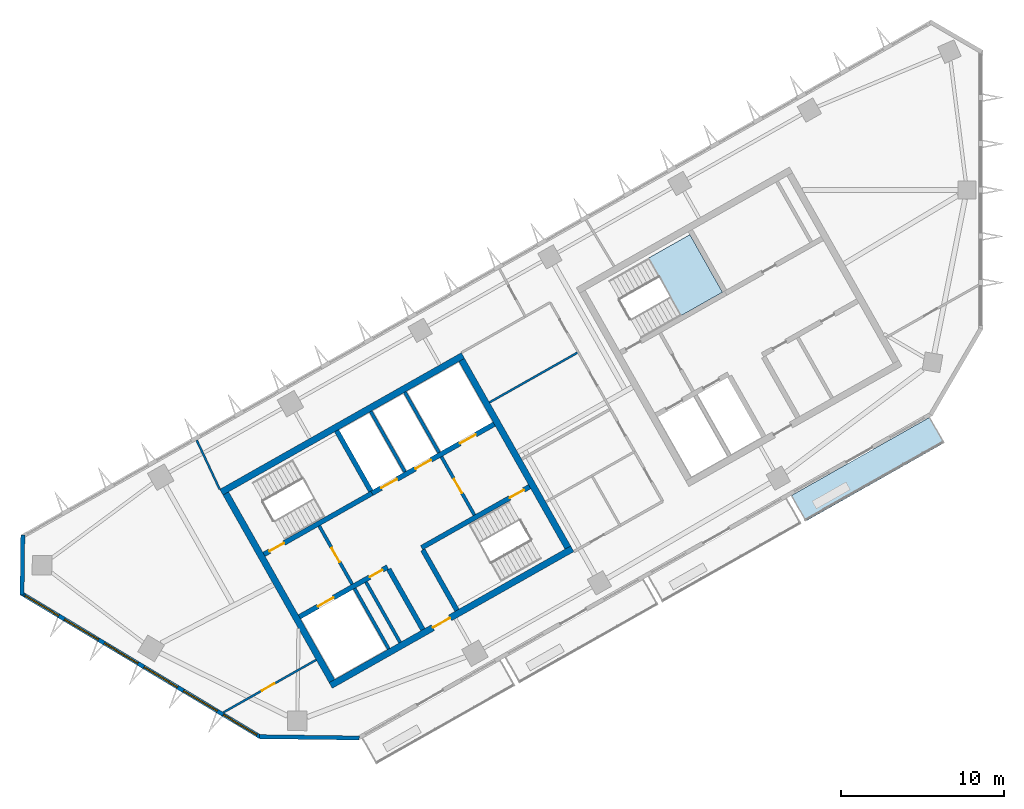
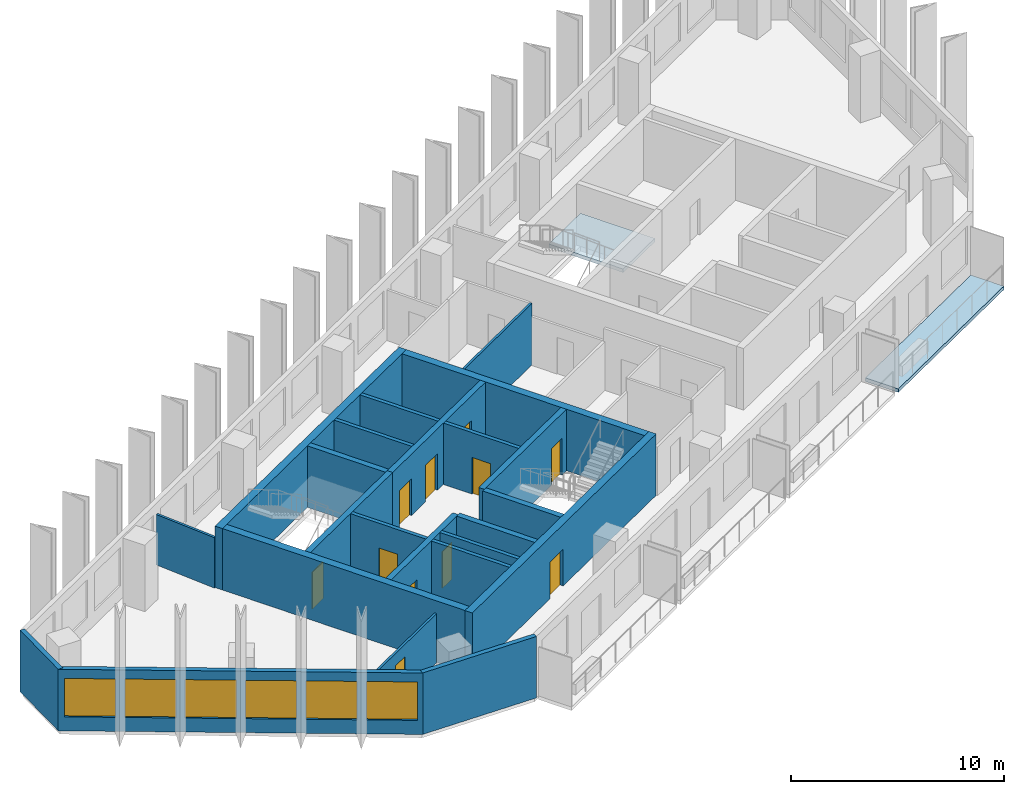
# One storey, part 2 of 8: 23 walls, 11 doors, 6 windows, 2 slabs, 17 openings, 1 element without a shape of its own.
"""IFC4 building model written with IfcOpenShell, lengths in metres."""

from ifc_helpers import new_model, si_unit, direction, frame, frame_2d, origin, place, context, subcontext, project, spatial, polyline, rectangle, outline, extrude, material, layer, layer_set, type_object, element, fill, aggregate, save


model = new_model("IFC4")

# Units and contexts
model_context = context("Model", 3, precision=1e-05, world=origin(), true_north=direction((0.0, 1.0)))
body_context = subcontext(model_context, "Body", "Model", "MODEL_VIEW")
ifc_project = project(units=[si_unit("LENGTHUNIT", "METRE"), si_unit("AREAUNIT", "SQUARE_METRE"), si_unit("VOLUMEUNIT", "CUBIC_METRE"), si_unit("PLANEANGLEUNIT", "RADIAN"), si_unit("MASSUNIT", "GRAM", prefix="KILO")], contexts=[model_context])

# Site, building, storey
site_placement = place(None, origin())
site = spatial("IfcSite", under=ifc_project, at=site_placement, CompositionType="ELEMENT")
building_placement = place(site_placement, origin())
building = spatial("IfcBuilding", under=site, at=building_placement, Name="Binnacle Exchange Tower", CompositionType="ELEMENT")
storey_placement = place(building_placement, frame((0.0, 0.0, 270.300048828125)))
storey = spatial("IfcBuildingStorey", under=building, at=storey_placement, Name="L60", CompositionType="ELEMENT", Elevation=270.300048828125)

# Slab
ifc_material_1 = material(Name="Concrete C35/45", Category="concrete")
ifc_layer_1 = layer(ifc_material_1, 0.199951171875)
ifc_layer_set_1 = layer_set([ifc_layer_1], Name="BALCONY SLAB 200")
slab_type_1 = type_object("IfcSlabType", Name="BALCONY SLAB 200", PredefinedType="FLOOR", material=ifc_layer_set_1)
slab_1_placement = place(storey_placement, frame((0.0, 0.0, -0.199951171875)))
element("IfcSlab", 1, at=slab_1_placement, inside=storey, type_object=slab_type_1, Name="Balcony BA-H07-03 L60", PredefinedType="FLOOR", context=body_context, shape_type="SweptSolid", body=[
    extrude(outline(polyline([(-11.616943359375, 41.28369140625), (-3.115234375, 46.093994140625), (-2.22900390625, 44.527099609375), (-10.730712890625, 39.717041015625), (-11.616943359375, 41.28369140625)])), origin(), (0.0, 0.0, 1.0), 0.199951171875),
])

# Stair, slab
stair_type = type_object("IfcStairType", Name="STAIR 22 RISERS 173", PredefinedType="HALF_TURN_STAIR", material=ifc_material_1)
stair_placement = place(storey_placement, origin())
stair = element("IfcStair", 2, at=stair_placement, inside=storey, type_object=stair_type, Name="L60 Escape stair C1", PredefinedType="HALF_TURN_STAIR")
ifc_layer_2 = layer(ifc_material_1, 0.199951171875)
ifc_layer_set_2 = layer_set([ifc_layer_2], Name="STAIR LANDING 200")
slab_type_2 = type_object("IfcSlabType", Name="STAIR LANDING 200", PredefinedType="LANDING", material=ifc_layer_set_2)
slab_2_placement = place(storey_placement, frame((0.0, 0.0, 1.699951171875)))
slab_2 = element("IfcSlab", 3, at=slab_2_placement, type_object=slab_type_2, Name="STC1 landing 1", PredefinedType="LANDING", context=body_context, shape_type="SweptSolid", body=[
    extrude(outline(polyline([(-18.364013671875, 52.31005859375), (-15.822509765625, 53.748046875), (-17.81689453125, 57.27294921875), (-20.3583984375, 55.8349609375), (-18.364013671875, 52.31005859375)])), origin(), (0.0, 0.0, 1.0), 0.199951171875),
])
aggregate(stair, [slab_2])

# Wall, openings, doors
ifc_material_2 = material(Name="Concrete C70/85", Category="concrete")
ifc_layer_3 = layer(ifc_material_2, 0.300048828125)
ifc_layer_set_3 = layer_set([ifc_layer_3], Name="Core wall - front 300")
wall_type_1 = type_object("IfcWallType", Name="Core wall - front 300", PredefinedType="SOLIDWALL", material=ifc_layer_set_3)
wall_1_placement = place(storey_placement, frame((-41.72998046875, 33.862548828125, 0.0), z_axis=(0.0, 0.0, 1.0), x_axis=(0.870350800578, 0.492432212525, 0.0)))
wall_1 = element("IfcWall", 4, at=wall_1_placement, inside=storey, type_object=wall_type_1, Name="Core wall CRWA2", PredefinedType="SOLIDWALL", context=body_context, shape_type="SweptSolid", body=[
    extrude(rectangle(XDim=6.19970703125, YDim=0.300048828125, at=frame_2d((3.099853515625, 0.0))), origin(), (0.0, 0.0, 1.0), 3.52001953125),
])
opening_1_placement = place(wall_1_placement, frame((1.300048828125, 0.0, 0.0)))
opening_1 = element("IfcOpeningElement", 5, at=opening_1_placement, cuts=wall_1, Name="Opening LD12", PredefinedType="OPENING", context=body_context, shape_type="SweptSolid", body=[
    extrude(rectangle(XDim=1.10009765625, YDim=2.10009765625, at=frame_2d((0.550048828125, 1.050048828125))), frame((0.0, 0.159912109375, 0.0), z_axis=(0.0, -1.0, 0.0), x_axis=(1.0, 0.0, 0.0)), (0.0, 0.0, 1.0), 0.320068359375),
])
opening_2_placement = place(wall_1_placement, frame((4.949951171875, 0.0, 0.0)))
opening_2 = element("IfcOpeningElement", 6, at=opening_2_placement, cuts=wall_1, Name="Opening DA14", PredefinedType="OPENING", context=body_context, shape_type="SweptSolid", body=[
    extrude(rectangle(XDim=0.89990234375, YDim=2.10009765625, at=frame_2d((0.449951171875, 1.050048828125))), frame((0.0, 0.159912109375, 0.0), z_axis=(0.0, -1.0, 0.0), x_axis=(1.0, 0.0, 0.0)), (0.0, 0.0, 1.0), 0.320068359375),
])
ifc_material_3 = material(Name="Steel door leaf", Category="steel")
door_type_1 = type_object("IfcDoorType", Name="Fire door - lift landing 1100", OperationType="NOTDEFINED", PredefinedType="DOOR", material=ifc_material_3)
door_1_placement = place(opening_1_placement, origin())
door_1 = element("IfcDoor", 7, at=door_1_placement, inside=storey, type_object=door_type_1, Name="Landing door LD12 L60", OperationType="DOUBLE_DOOR_SLIDING", OverallHeight=2.10009765625, OverallWidth=1.10009765625, PredefinedType="DOOR", context=body_context, shape_type="SweptSolid", body=[
    extrude(rectangle(XDim=1.10009765625, YDim=2.10009765625, at=frame_2d((0.550048828125, 1.050048828125))), frame((0.0, 0.02490234375, 0.0), z_axis=(0.0, -1.0, 0.0), x_axis=(1.0, 0.0, 0.0)), (0.0, 0.0, 1.0), 0.050048828125),
])
fill(opening_1, door_1)
door_type_2 = type_object("IfcDoorType", Name="Fire door 900", OperationType="NOTDEFINED", PredefinedType="DOOR", material=ifc_material_3)
door_2_placement = place(opening_2_placement, frame((0.89990234375, 0.0, 0.0), z_axis=(0.0, 0.0, 1.0), x_axis=(-1.0, 0.0, 0.0)))
door_2 = element("IfcDoor", 8, at=door_2_placement, inside=storey, type_object=door_type_2, Name="Core room door CLEANERS STORE", OperationType="SINGLE_SWING_LEFT", OverallHeight=2.10009765625, OverallWidth=0.89990234375, PredefinedType="DOOR", context=body_context, shape_type="SweptSolid", body=[
    extrude(rectangle(XDim=0.89990234375, YDim=2.10009765625, at=frame_2d((0.449951171875, 1.050048828125))), frame((0.0, 0.02490234375, 0.0), z_axis=(0.0, -1.0, 0.0), x_axis=(1.0, 0.0, 0.0)), (0.0, 0.0, 1.0), 0.050048828125),
])
fill(opening_2, door_2)

wall_2_placement = place(storey_placement, frame((-37.281982421875, 41.4345703125, 0.0), z_axis=(0.0, 0.0, 1.0), x_axis=(0.870361315115, 0.492413628113, 0.0)))
wall_2 = element("IfcWall", 9, at=wall_2_placement, inside=storey, type_object=wall_type_1, Name="Core wall CRWA5", PredefinedType="SOLIDWALL", context=body_context, shape_type="SweptSolid", body=[
    extrude(rectangle(XDim=8.599609375, YDim=0.300048828125, at=frame_2d((4.2998046875, 0.0))), origin(), (0.0, 0.0, 1.0), 3.52001953125),
])
opening_3_placement = place(wall_2_placement, frame((0.650146484375, 0.0, 0.0)))
opening_3 = element("IfcOpeningElement", 10, at=opening_3_placement, cuts=wall_2, Name="Opening LD9", PredefinedType="OPENING", context=body_context, shape_type="SweptSolid", body=[
    extrude(rectangle(XDim=1.10009765625, YDim=2.10009765625, at=frame_2d((0.550048828125, 1.050048828125))), frame((0.0, 0.159912109375, 0.0), z_axis=(0.0, -1.0, 0.0), x_axis=(1.0, 0.0, 0.0)), (0.0, 0.0, 1.0), 0.320068359375),
])
opening_4_placement = place(wall_2_placement, frame((3.050048828125, 0.0, 0.0)))
opening_4 = element("IfcOpeningElement", 11, at=opening_4_placement, cuts=wall_2, Name="Opening LD10", PredefinedType="OPENING", context=body_context, shape_type="SweptSolid", body=[
    extrude(rectangle(XDim=1.10009765625, YDim=2.10009765625, at=frame_2d((0.550048828125, 1.050048828125))), frame((0.0, 0.159912109375, 0.0), z_axis=(0.0, -1.0, 0.0), x_axis=(1.0, 0.0, 0.0)), (0.0, 0.0, 1.0), 0.320068359375),
])
opening_5_placement = place(wall_2_placement, frame((6.199951171875, 0.0, 0.0)))
opening_5 = element("IfcOpeningElement", 12, at=opening_5_placement, cuts=wall_2, Name="Opening LD13", PredefinedType="OPENING", context=body_context, shape_type="SweptSolid", body=[
    extrude(rectangle(XDim=1.10009765625, YDim=2.10009765625, at=frame_2d((0.550048828125, 1.050048828125))), frame((0.0, 0.159912109375, 0.0), z_axis=(0.0, -1.0, 0.0), x_axis=(1.0, 0.0, 0.0)), (0.0, 0.0, 1.0), 0.320068359375),
])
door_3_placement = place(opening_3_placement, origin())
door_3 = element("IfcDoor", 13, at=door_3_placement, inside=storey, type_object=door_type_1, Name="Landing door LD9 L60", OperationType="DOUBLE_DOOR_SLIDING", OverallHeight=2.10009765625, OverallWidth=1.10009765625, PredefinedType="DOOR", context=body_context, shape_type="SweptSolid", body=[
    extrude(rectangle(XDim=1.10009765625, YDim=2.10009765625, at=frame_2d((0.550048828125, 1.050048828125))), frame((0.0, 0.02490234375, 0.0), z_axis=(0.0, -1.0, 0.0), x_axis=(1.0, 0.0, 0.0)), (0.0, 0.0, 1.0), 0.050048828125),
])
fill(opening_3, door_3)
door_4_placement = place(opening_4_placement, origin())
door_4 = element("IfcDoor", 14, at=door_4_placement, inside=storey, type_object=door_type_1, Name="Landing door LD10 L60", OperationType="DOUBLE_DOOR_SLIDING", OverallHeight=2.10009765625, OverallWidth=1.10009765625, PredefinedType="DOOR", context=body_context, shape_type="SweptSolid", body=[
    extrude(rectangle(XDim=1.10009765625, YDim=2.10009765625, at=frame_2d((0.550048828125, 1.050048828125))), frame((0.0, 0.02490234375, 0.0), z_axis=(0.0, -1.0, 0.0), x_axis=(1.0, 0.0, 0.0)), (0.0, 0.0, 1.0), 0.050048828125),
])
fill(opening_4, door_4)
door_5_placement = place(opening_5_placement, origin())
door_5 = element("IfcDoor", 15, at=door_5_placement, inside=storey, type_object=door_type_1, Name="Landing door LD13 L60", OperationType="DOUBLE_DOOR_SLIDING", OverallHeight=2.10009765625, OverallWidth=1.10009765625, PredefinedType="DOOR", context=body_context, shape_type="SweptSolid", body=[
    extrude(rectangle(XDim=1.10009765625, YDim=2.10009765625, at=frame_2d((0.550048828125, 1.050048828125))), frame((0.0, 0.02490234375, 0.0), z_axis=(0.0, -1.0, 0.0), x_axis=(1.0, 0.0, 0.0)), (0.0, 0.0, 1.0), 0.050048828125),
])
fill(opening_5, door_5)

# Wall
wall_3_placement = place(storey_placement, frame((-36.260009765625, 36.784912109375, 0.0), z_axis=(0.0, 0.0, 1.0), x_axis=(0.492422543467, -0.870356271124, 0.0)))
element("IfcWall", 16, at=wall_3_placement, inside=storey, type_object=wall_type_1, Name="Core wall CRWA13", PredefinedType="SOLIDWALL", context=body_context, shape_type="SweptSolid", body=[
    extrude(rectangle(XDim=4.25, YDim=0.300048828125, at=frame_2d((2.125, 0.0))), origin(), (0.0, 0.0, 1.0), 3.52001953125),
])

# Wall, opening, door
ifc_layer_4 = layer(ifc_material_2, 0.39990234375)
ifc_layer_set_4 = layer_set([ifc_layer_4], Name="Core wall - outer 400")
wall_type_2 = type_object("IfcWallType", Name="Core wall - outer 400", PredefinedType="SOLIDWALL", material=ifc_layer_set_4)
wall_4_placement = place(storey_placement, frame((-39.81298828125, 29.661865234375, 0.0), z_axis=(0.0, 0.0, 1.0), x_axis=(0.870350116061, 0.492433422375, 0.0)))
wall_4 = element("IfcWall", 17, at=wall_4_placement, inside=storey, type_object=wall_type_2, Name="Core wall CRWA1", PredefinedType="SOLIDWALL", context=body_context, shape_type="SweptSolid", body=[
    extrude(rectangle(XDim=17.0, YDim=0.39990234375, at=frame_2d((8.5, 0.0))), origin(), (0.0, 0.0, 1.0), 3.52001953125),
])
opening_6_placement = place(wall_4_placement, frame((7.199951171875, 0.0, 0.0)))
opening_6 = element("IfcOpeningElement", 18, at=opening_6_placement, cuts=wall_4, Name="Opening DA7", PredefinedType="OPENING", context=body_context, shape_type="SweptSolid", body=[
    extrude(rectangle(XDim=1.199951171875, YDim=2.10009765625, at=frame_2d((0.60009765625, 1.050048828125))), frame((0.0, 0.2099609375, 0.0), z_axis=(0.0, -1.0, 0.0), x_axis=(1.0, 0.0, 0.0)), (0.0, 0.0, 1.0), 0.419921875),
])
door_type_3 = type_object("IfcDoorType", Name="Fire door 1200", OperationType="NOTDEFINED", PredefinedType="DOOR", material=ifc_material_3)
door_6_placement = place(opening_6_placement, frame((1.199951171875, 0.0, 0.0), z_axis=(0.0, 0.0, 1.0), x_axis=(-1.0, 0.0, 0.0)))
door_6 = element("IfcDoor", 19, at=door_6_placement, inside=storey, type_object=door_type_3, Name="Lift lobby entrance door core A", OperationType="SINGLE_SWING_RIGHT", OverallHeight=2.10009765625, OverallWidth=1.199951171875, PredefinedType="DOOR", context=body_context, shape_type="SweptSolid", body=[
    extrude(rectangle(XDim=1.199951171875, YDim=2.10009765625, at=frame_2d((0.60009765625, 1.050048828125))), frame((0.0, 0.02490234375, 0.0), z_axis=(0.0, -1.0, 0.0), x_axis=(1.0, 0.0, 0.0)), (0.0, 0.0, 1.0), 0.050048828125),
])
fill(opening_6, door_6)

# Walls
wall_5_placement = place(storey_placement, frame((-46.510009765625, 41.498779296875, 0.0), z_axis=(0.0, 0.0, 1.0), x_axis=(0.870356271124, 0.492422543467, 0.0)))
element("IfcWall", 20, at=wall_5_placement, inside=storey, type_object=wall_type_2, Name="Core wall CRWA6", PredefinedType="SOLIDWALL", context=body_context, shape_type="SweptSolid", body=[
    extrude(rectangle(XDim=16.999755859375, YDim=0.39990234375, at=frame_2d((8.5, 0.0))), origin(), (0.0, 0.0, 1.0), 3.52001953125),
])
for number, where, z_axis, x_axis, name in (
    (21, (-46.237548828125, 41.423095703125, 0.0), (0.0, 0.0, 1.0), (0.492421663121, -0.870356769198, 0.0), "Core wall CRWA7"),
    (22, (-31.78955078125, 49.597412109375, 0.0), (0.0, 0.0, 1.0), (0.492421663121, -0.870356769198, 0.0), "Core wall CRWA22"),
):
    element("IfcWall", number, at=place(storey_placement, frame(where, z_axis=z_axis, x_axis=x_axis)), inside=storey, type_object=wall_type_2, Name=name, PredefinedType="SOLIDWALL", context=body_context, shape_type="SweptSolid", body=[
        extrude(rectangle(XDim=13.199951171875, YDim=0.39990234375, at=frame_2d((6.60009765625, 0.0))), origin(), (0.0, 0.0, 1.0), 3.52001953125),
    ])

# Wall, opening, door
ifc_layer_5 = layer(ifc_material_2, 0.300048828125)
ifc_layer_set_5 = layer_set([ifc_layer_5], Name="Core wall - stair 300")
wall_type_3 = type_object("IfcWallType", Name="Core wall - stair 300", PredefinedType="SOLIDWALL", material=ifc_layer_set_5)
wall_6_placement = place(storey_placement, frame((-34.2451171875, 38.097412109375, 0.0), z_axis=(0.0, 0.0, 1.0), x_axis=(0.870356351998, 0.492422400523, 0.0)))
wall_6 = element("IfcWall", 23, at=wall_6_placement, inside=storey, type_object=wall_type_3, Name="Core wall CRWA3", PredefinedType="SOLIDWALL", context=body_context, shape_type="SweptSolid", body=[
    extrude(rectangle(XDim=7.60009765625, YDim=0.300048828125, at=frame_2d((3.800048828125, 0.0))), origin(), (0.0, 0.0, 1.0), 3.52001953125),
])
opening_7_placement = place(wall_6_placement, frame((6.199951171875, 0.0, 0.0)))
opening_7 = element("IfcOpeningElement", 24, at=opening_7_placement, cuts=wall_6, Name="Opening DA2", PredefinedType="OPENING", context=body_context, shape_type="SweptSolid", body=[
    extrude(rectangle(XDim=1.0, YDim=2.10009765625, at=frame_2d((0.5, 1.050048828125))), frame((0.0, 0.159912109375, 0.0), z_axis=(0.0, -1.0, 0.0), x_axis=(1.0, 0.0, 0.0)), (0.0, 0.0, 1.0), 0.320068359375),
])
door_type_4 = type_object("IfcDoorType", Name="Fire door 1000", OperationType="NOTDEFINED", PredefinedType="DOOR", material=ifc_material_3)
door_7_placement = place(opening_7_placement, frame((1.0, 0.0, 0.0), z_axis=(0.0, 0.0, 1.0), x_axis=(-1.0, 0.0, 0.0)))
door_7 = element("IfcDoor", 25, at=door_7_placement, inside=storey, type_object=door_type_4, Name="Stair door ST-A2", OperationType="SINGLE_SWING_LEFT", OverallHeight=2.10009765625, OverallWidth=1.0, PredefinedType="DOOR", context=body_context, shape_type="SweptSolid", body=[
    extrude(rectangle(XDim=1.0, YDim=2.10009765625, at=frame_2d((0.5, 1.050048828125))), frame((0.0, 0.02490234375, 0.0), z_axis=(0.0, -1.0, 0.0), x_axis=(1.0, 0.0, 0.0)), (0.0, 0.0, 1.0), 0.050048828125),
])
fill(opening_7, door_7)

wall_7_placement = place(storey_placement, frame((-43.896728515625, 37.692138671875, 0.0), z_axis=(0.0, 0.0, 1.0), x_axis=(0.870356351998, 0.492422400523, 0.0)))
wall_7 = element("IfcWall", 26, at=wall_7_placement, inside=storey, type_object=wall_type_3, Name="Core wall CRWA4", PredefinedType="SOLIDWALL", context=body_context, shape_type="SweptSolid", body=[
    extrude(rectangle(XDim=7.60009765625, YDim=0.300048828125, at=frame_2d((3.800048828125, 0.0))), origin(), (0.0, 0.0, 1.0), 3.52001953125),
])
opening_8_placement = place(wall_7_placement, frame((0.39990234375, 0.0, 0.0)))
opening_8 = element("IfcOpeningElement", 27, at=opening_8_placement, cuts=wall_7, Name="Opening DA1", PredefinedType="OPENING", context=body_context, shape_type="SweptSolid", body=[
    extrude(rectangle(XDim=1.0, YDim=2.10009765625, at=frame_2d((0.5, 1.050048828125))), frame((0.0, 0.159912109375, 0.0), z_axis=(0.0, -1.0, 0.0), x_axis=(1.0, 0.0, 0.0)), (0.0, 0.0, 1.0), 0.320068359375),
])
door_8_placement = place(opening_8_placement, origin())
door_8 = element("IfcDoor", 28, at=door_8_placement, inside=storey, type_object=door_type_4, Name="Stair door ST-A1", OperationType="SINGLE_SWING_LEFT", OverallHeight=2.10009765625, OverallWidth=1.0, PredefinedType="DOOR", context=body_context, shape_type="SweptSolid", body=[
    extrude(rectangle(XDim=1.0, YDim=2.10009765625, at=frame_2d((0.5, 1.050048828125))), frame((0.0, 0.02490234375, 0.0), z_axis=(0.0, -1.0, 0.0), x_axis=(1.0, 0.0, 0.0)), (0.0, 0.0, 1.0), 0.050048828125),
])
fill(opening_8, door_8)

# Walls
for number, where, z_axis, x_axis, name in (
    (29, (-39.44873046875, 45.263916015625, 0.0), (0.0, 0.0, 1.0), (0.492422543467, -0.870356271124, 0.0), "Core wall CRWA14"),
    (30, (-34.171142578125, 37.966796875, 0.0), (0.0, 0.0, 1.0), (0.492422543467, -0.870356271124, 0.0), "Core wall CRWA16"),
):
    element("IfcWall", number, at=place(storey_placement, frame(where, z_axis=z_axis, x_axis=x_axis)), inside=storey, type_object=wall_type_3, Name=name, PredefinedType="SOLIDWALL", context=body_context, shape_type="SweptSolid", body=[
        extrude(rectangle(XDim=4.25, YDim=0.300048828125, at=frame_2d((2.125, 0.0))), origin(), (0.0, 0.0, 1.0), 3.52001953125),
    ])
ifc_material_4 = material(Name="Bronze aluminium cladding", Category="aluminium")
ifc_layer_6 = layer(ifc_material_4, 0.25)
ifc_layer_set_6 = layer_set([ifc_layer_6], Name="External wall - window wall 250")
wall_type_4 = type_object("IfcWallType", Name="External wall - window wall 250", PredefinedType="STANDARD", material=ifc_layer_set_6)
wall_8_placement = place(storey_placement, frame((-58.717041015625, 35.208251953125, 0.0), z_axis=(0.0, 0.0, 1.0), x_axis=(0.01310512158, 0.999914124207, 0.0)))
element("IfcWall", 31, at=wall_8_placement, inside=storey, type_object=wall_type_4, Name="External wall EW-H04 L60", PredefinedType="STANDARD", context=body_context, shape_type="SweptSolid", body=[
    extrude(rectangle(XDim=3.669921875, YDim=0.25, at=frame_2d((1.8349609375, 0.0))), origin(), (0.0, 0.0, 1.0), 3.52001953125),
])

# Wall, openings, windows
wall_9_placement = place(storey_placement, frame((-44.115234375, 26.507080078125, 0.0), z_axis=(0.0, 0.0, 1.0), x_axis=(-0.857166583633, 0.515039268311, 0.0)))
wall_9 = element("IfcWall", 32, at=wall_9_placement, inside=storey, type_object=wall_type_4, Name="External wall EW-H05 L60", PredefinedType="STANDARD", context=body_context, shape_type="SweptSolid", body=[
    extrude(rectangle(XDim=17.105712890625, YDim=0.25, at=frame_2d((8.552734375, 0.0))), origin(), (0.0, 0.0, 1.0), 3.52001953125),
])
opening_9_placement = place(wall_9_placement, frame((14.4169921875, 0.0, 0.800048828125)))
opening_9 = element("IfcOpeningElement", 33, at=opening_9_placement, cuts=wall_9, Name="Opening WR2", PredefinedType="OPENING", context=body_context, shape_type="SweptSolid", body=[
    extrude(rectangle(XDim=2.39990234375, YDim=2.199951171875, at=frame_2d((1.199951171875, 1.10009765625))), frame((0.0, 0.135009765625, 0.0), z_axis=(0.0, -1.0, 0.0), x_axis=(1.0, 0.0, 0.0)), (0.0, 0.0, 1.0), 0.27001953125),
])
opening_10_placement = place(wall_9_placement, frame((11.583740234375, 0.0, 0.800048828125)))
opening_10 = element("IfcOpeningElement", 34, at=opening_10_placement, cuts=wall_9, Name="Opening WR2", PredefinedType="OPENING", context=body_context, shape_type="SweptSolid", body=[
    extrude(rectangle(XDim=2.39990234375, YDim=2.199951171875, at=frame_2d((1.199951171875, 1.10009765625))), frame((0.0, 0.135009765625, 0.0), z_axis=(0.0, -1.0, 0.0), x_axis=(1.0, 0.0, 0.0)), (0.0, 0.0, 1.0), 0.27001953125),
])
opening_11_placement = place(wall_9_placement, frame((8.75048828125, 0.0, 0.800048828125)))
opening_11 = element("IfcOpeningElement", 35, at=opening_11_placement, cuts=wall_9, Name="Opening WR2", PredefinedType="OPENING", context=body_context, shape_type="SweptSolid", body=[
    extrude(rectangle(XDim=2.39990234375, YDim=2.199951171875, at=frame_2d((1.199951171875, 1.10009765625))), frame((0.0, 0.135009765625, 0.0), z_axis=(0.0, -1.0, 0.0), x_axis=(1.0, 0.0, 0.0)), (0.0, 0.0, 1.0), 0.27001953125),
])
opening_12_placement = place(wall_9_placement, frame((5.9169921875, 0.0, 0.800048828125)))
opening_12 = element("IfcOpeningElement", 36, at=opening_12_placement, cuts=wall_9, Name="Opening WR2", PredefinedType="OPENING", context=body_context, shape_type="SweptSolid", body=[
    extrude(rectangle(XDim=2.39990234375, YDim=2.199951171875, at=frame_2d((1.199951171875, 1.10009765625))), frame((0.0, 0.135009765625, 0.0), z_axis=(0.0, -1.0, 0.0), x_axis=(1.0, 0.0, 0.0)), (0.0, 0.0, 1.0), 0.27001953125),
])
opening_13_placement = place(wall_9_placement, frame((3.083740234375, 0.0, 0.800048828125)))
opening_13 = element("IfcOpeningElement", 37, at=opening_13_placement, cuts=wall_9, Name="Opening WR2", PredefinedType="OPENING", context=body_context, shape_type="SweptSolid", body=[
    extrude(rectangle(XDim=2.39990234375, YDim=2.199951171875, at=frame_2d((1.199951171875, 1.10009765625))), frame((0.0, 0.135009765625, 0.0), z_axis=(0.0, -1.0, 0.0), x_axis=(1.0, 0.0, 0.0)), (0.0, 0.0, 1.0), 0.27001953125),
])
opening_14_placement = place(wall_9_placement, frame((0.25048828125, 0.0, 0.800048828125)))
opening_14 = element("IfcOpeningElement", 38, at=opening_14_placement, cuts=wall_9, Name="Opening WR2", PredefinedType="OPENING", context=body_context, shape_type="SweptSolid", body=[
    extrude(rectangle(XDim=2.39990234375, YDim=2.199951171875, at=frame_2d((1.199951171875, 1.10009765625))), frame((0.0, 0.135009765625, 0.0), z_axis=(0.0, -1.0, 0.0), x_axis=(1.0, 0.0, 0.0)), (0.0, 0.0, 1.0), 0.27001953125),
])
ifc_material_5 = material(Name="Bronze anodised aluminium frame", Category="aluminium")
window_type = type_object("IfcWindowType", Name="WR2 WINDOW 2400x2200", PartitioningType="SINGLE_PANEL", PredefinedType="WINDOW", material=ifc_material_5)
window_1_placement = place(opening_9_placement, origin())
window_1 = element("IfcWindow", 39, at=window_1_placement, inside=storey, type_object=window_type, Name="Window WR2 L60", OverallHeight=2.199951171875, OverallWidth=2.39990234375, PartitioningType="SINGLE_PANEL", PredefinedType="WINDOW", context=body_context, shape_type="SweptSolid", body=[
    extrude(rectangle(XDim=2.39990234375, YDim=2.199951171875, at=frame_2d((1.199951171875, 1.10009765625))), frame((0.0, 0.030029296875, 0.0), z_axis=(0.0, -1.0, 0.0), x_axis=(1.0, 0.0, 0.0)), (0.0, 0.0, 1.0), 0.06005859375),
])
fill(opening_9, window_1)
window_2_placement = place(opening_10_placement, origin())
window_2 = element("IfcWindow", 40, at=window_2_placement, inside=storey, type_object=window_type, Name="Window WR2 L60", OverallHeight=2.199951171875, OverallWidth=2.39990234375, PartitioningType="SINGLE_PANEL", PredefinedType="WINDOW", context=body_context, shape_type="SweptSolid", body=[
    extrude(rectangle(XDim=2.39990234375, YDim=2.199951171875, at=frame_2d((1.199951171875, 1.10009765625))), frame((0.0, 0.030029296875, 0.0), z_axis=(0.0, -1.0, 0.0), x_axis=(1.0, 0.0, 0.0)), (0.0, 0.0, 1.0), 0.06005859375),
])
fill(opening_10, window_2)
window_3_placement = place(opening_11_placement, origin())
window_3 = element("IfcWindow", 41, at=window_3_placement, inside=storey, type_object=window_type, Name="Window WR2 L60", OverallHeight=2.199951171875, OverallWidth=2.39990234375, PartitioningType="SINGLE_PANEL", PredefinedType="WINDOW", context=body_context, shape_type="SweptSolid", body=[
    extrude(rectangle(XDim=2.39990234375, YDim=2.199951171875, at=frame_2d((1.199951171875, 1.10009765625))), frame((0.0, 0.030029296875, 0.0), z_axis=(0.0, -1.0, 0.0), x_axis=(1.0, 0.0, 0.0)), (0.0, 0.0, 1.0), 0.06005859375),
])
fill(opening_11, window_3)
window_4_placement = place(opening_12_placement, origin())
window_4 = element("IfcWindow", 42, at=window_4_placement, inside=storey, type_object=window_type, Name="Window WR2 L60", OverallHeight=2.199951171875, OverallWidth=2.39990234375, PartitioningType="SINGLE_PANEL", PredefinedType="WINDOW", context=body_context, shape_type="SweptSolid", body=[
    extrude(rectangle(XDim=2.39990234375, YDim=2.199951171875, at=frame_2d((1.199951171875, 1.10009765625))), frame((0.0, 0.030029296875, 0.0), z_axis=(0.0, -1.0, 0.0), x_axis=(1.0, 0.0, 0.0)), (0.0, 0.0, 1.0), 0.06005859375),
])
fill(opening_12, window_4)
window_5_placement = place(opening_13_placement, origin())
window_5 = element("IfcWindow", 43, at=window_5_placement, inside=storey, type_object=window_type, Name="Window WR2 L60", OverallHeight=2.199951171875, OverallWidth=2.39990234375, PartitioningType="SINGLE_PANEL", PredefinedType="WINDOW", context=body_context, shape_type="SweptSolid", body=[
    extrude(rectangle(XDim=2.39990234375, YDim=2.199951171875, at=frame_2d((1.199951171875, 1.10009765625))), frame((0.0, 0.030029296875, 0.0), z_axis=(0.0, -1.0, 0.0), x_axis=(1.0, 0.0, 0.0)), (0.0, 0.0, 1.0), 0.06005859375),
])
fill(opening_13, window_5)
window_6_placement = place(opening_14_placement, origin())
window_6 = element("IfcWindow", 44, at=window_6_placement, inside=storey, type_object=window_type, Name="Window WR2 L60", OverallHeight=2.199951171875, OverallWidth=2.39990234375, PartitioningType="SINGLE_PANEL", PredefinedType="WINDOW", context=body_context, shape_type="SweptSolid", body=[
    extrude(rectangle(XDim=2.39990234375, YDim=2.199951171875, at=frame_2d((1.199951171875, 1.10009765625))), frame((0.0, 0.030029296875, 0.0), z_axis=(0.0, -1.0, 0.0), x_axis=(1.0, 0.0, 0.0)), (0.0, 0.0, 1.0), 0.06005859375),
])
fill(opening_14, window_6)

# Wall
wall_10_placement = place(storey_placement, frame((-38.06396484375, 26.44482421875, 0.0), z_axis=(0.0, 0.0, 1.0), x_axis=(-0.999914239143, 0.013096349097, 0.0)))
element("IfcWall", 45, at=wall_10_placement, inside=storey, type_object=wall_type_4, Name="External wall EW-H06 L60", PredefinedType="STANDARD", context=body_context, shape_type="SweptSolid", body=[
    extrude(rectangle(XDim=6.114501953125, YDim=0.25, at=frame_2d((3.05712890625, 0.0))), origin(), (0.0, 0.0, 1.0), 3.52001953125),
])

# Wall, opening, door
ifc_material_6 = material(Name="Masonry block wall", Category="masonry")
ifc_layer_7 = layer(ifc_material_6, 0.199951171875)
ifc_layer_set_7 = layer_set([ifc_layer_7], Name="Fire wall - vestibule 200")
wall_type_5 = type_object("IfcWallType", Name="Fire wall - vestibule 200", PredefinedType="PARTITIONING", material=ifc_layer_set_7)
wall_11_placement = place(storey_placement, frame((-40.515625, 39.4326171875, 0.0), z_axis=(0.0, 0.0, 1.0), x_axis=(0.492453559952, -0.87033872216, 0.0)))
wall_11 = element("IfcWall", 46, at=wall_11_placement, inside=storey, type_object=wall_type_5, Name="Core wall CRWA10", PredefinedType="PARTITIONING", context=body_context, shape_type="SweptSolid", body=[
    extrude(rectangle(XDim=4.099853515625, YDim=0.199951171875, at=frame_2d((2.0498046875, 0.0))), origin(), (0.0, 0.0, 1.0), 3.52001953125),
])
opening_15_placement = place(wall_11_placement, frame((1.550048828125, 0.0, 0.0)))
opening_15 = element("IfcOpeningElement", 47, at=opening_15_placement, cuts=wall_11, Name="Opening DA3", PredefinedType="OPENING", context=body_context, shape_type="SweptSolid", body=[
    extrude(rectangle(XDim=1.0, YDim=2.10009765625, at=frame_2d((0.5, 1.050048828125))), frame((0.0, 0.10986328125, 0.0), z_axis=(0.0, -1.0, 0.0), x_axis=(1.0, 0.0, 0.0)), (0.0, 0.0, 1.0), 0.219970703125),
])
door_9_placement = place(opening_15_placement, frame((1.0, 0.0, 0.0), z_axis=(0.0, 0.0, 1.0), x_axis=(-1.0, 0.0, 0.0)))
door_9 = element("IfcDoor", 48, at=door_9_placement, inside=storey, type_object=door_type_4, Name="Vestibule door VEST-W", OperationType="SINGLE_SWING_LEFT", OverallHeight=2.10009765625, OverallWidth=1.0, PredefinedType="DOOR", context=body_context, shape_type="SweptSolid", body=[
    extrude(rectangle(XDim=1.0, YDim=2.10009765625, at=frame_2d((0.5, 1.050048828125))), frame((0.0, 0.02490234375, 0.0), z_axis=(0.0, -1.0, 0.0), x_axis=(1.0, 0.0, 0.0)), (0.0, 0.0, 1.0), 0.050048828125),
])
fill(opening_15, door_9)

wall_12_placement = place(storey_placement, frame((-33.030517578125, 43.66748046875, 0.0), z_axis=(0.0, 0.0, 1.0), x_axis=(0.492408451753, -0.87036424366, 0.0)))
wall_12 = element("IfcWall", 49, at=wall_12_placement, inside=storey, type_object=wall_type_5, Name="Core wall CRWA19", PredefinedType="PARTITIONING", context=body_context, shape_type="SweptSolid", body=[
    extrude(rectangle(XDim=4.099853515625, YDim=0.199951171875, at=frame_2d((2.0498046875, 0.0))), origin(), (0.0, 0.0, 1.0), 3.52001953125),
])
opening_16_placement = place(wall_12_placement, frame((1.550048828125, 0.0, 0.0)))
opening_16 = element("IfcOpeningElement", 50, at=opening_16_placement, cuts=wall_12, Name="Opening DA4", PredefinedType="OPENING", context=body_context, shape_type="SweptSolid", body=[
    extrude(rectangle(XDim=1.0, YDim=2.10009765625, at=frame_2d((0.5, 1.050048828125))), frame((0.0, 0.10986328125, 0.0), z_axis=(0.0, -1.0, 0.0), x_axis=(1.0, 0.0, 0.0)), (0.0, 0.0, 1.0), 0.219970703125),
])
door_10_placement = place(opening_16_placement, origin())
door_10 = element("IfcDoor", 51, at=door_10_placement, inside=storey, type_object=door_type_4, Name="Vestibule door VEST-E", OperationType="SINGLE_SWING_RIGHT", OverallHeight=2.10009765625, OverallWidth=1.0, PredefinedType="DOOR", context=body_context, shape_type="SweptSolid", body=[
    extrude(rectangle(XDim=1.0, YDim=2.10009765625, at=frame_2d((0.5, 1.050048828125))), frame((0.0, 0.02490234375, 0.0), z_axis=(0.0, -1.0, 0.0), x_axis=(1.0, 0.0, 0.0)), (0.0, 0.0, 1.0), 0.050048828125),
])
fill(opening_16, door_10)

# Wall
ifc_material_7 = material(Name="Gypsum partition")
ifc_layer_8 = layer(ifc_material_7, 0.125)
ifc_layer_set_8 = layer_set([ifc_layer_8], Name="Partition 125")
wall_type_6 = type_object("IfcWallType", Name="Partition 125", PredefinedType="PARTITIONING", material=ifc_layer_set_8)
wall_13_placement = place(storey_placement, frame((-48.02197265625, 44.68701171875, 0.0), z_axis=(0.0, 0.0, 1.0), x_axis=(0.424510917438, -0.905422818895, 0.0)))
element("IfcWall", 52, at=wall_13_placement, inside=storey, type_object=wall_type_6, Name="Partition W01", PredefinedType="PARTITIONING", context=body_context, shape_type="SweptSolid", body=[
    extrude(rectangle(XDim=3.328857421875, YDim=0.125, at=frame_2d((1.66455078125, 0.0))), origin(), (0.0, 0.0, 1.0), 2.887939453125),
])

# Wall, opening, door
wall_14_placement = place(storey_placement, frame((-46.381103515625, 28.014892578125, 0.0), z_axis=(0.0, 0.0, 1.0), x_axis=(0.870364232693, 0.492408471139, 0.0)))
wall_14 = element("IfcWall", 53, at=wall_14_placement, inside=storey, type_object=wall_type_6, Name="Partition W02", PredefinedType="PARTITIONING", context=body_context, shape_type="SweptSolid", body=[
    extrude(rectangle(XDim=6.52734375, YDim=0.125, at=frame_2d((3.263671875, 0.0))), origin(), (0.0, 0.0, 1.0), 2.800048828125),
])
opening_17_placement = place(wall_14_placement, frame((2.699951171875, 0.0, 0.0)))
opening_17 = element("IfcOpeningElement", 54, at=opening_17_placement, cuts=wall_14, Name="Opening DL58-01", PredefinedType="OPENING", context=body_context, shape_type="SweptSolid", body=[
    extrude(rectangle(XDim=0.89990234375, YDim=2.10009765625, at=frame_2d((0.449951171875, 1.050048828125))), frame((0.0, 0.072509765625, 0.0), z_axis=(0.0, -1.0, 0.0), x_axis=(1.0, 0.0, 0.0)), (0.0, 0.0, 1.0), 0.14501953125),
])
ifc_material_8 = material(Name="Timber door leaf", Category="wood")
door_type_5 = type_object("IfcDoorType", Name="Door 900", OperationType="NOTDEFINED", PredefinedType="DOOR", material=ifc_material_8)
door_11_placement = place(opening_17_placement, origin())
door_11 = element("IfcDoor", 55, at=door_11_placement, inside=storey, type_object=door_type_5, Name="Door DL58-01", OperationType="SINGLE_SWING_LEFT", OverallHeight=2.10009765625, OverallWidth=0.89990234375, PredefinedType="DOOR", context=body_context, shape_type="SweptSolid", body=[
    extrude(rectangle(XDim=0.89990234375, YDim=2.10009765625, at=frame_2d((0.449951171875, 1.050048828125))), frame((0.0, 0.02490234375, 0.0), z_axis=(0.0, -1.0, 0.0), x_axis=(1.0, 0.0, 0.0)), (0.0, 0.0, 1.0), 0.050048828125),
])
fill(opening_17, door_11)

# Walls
wall_15_placement = place(storey_placement, frame((-30.089111328125, 46.998046875, 0.0), z_axis=(0.0, 0.0, 1.0), x_axis=(0.870424575418, 0.492301796167, 0.0)))
element("IfcWall", 56, at=wall_15_placement, inside=storey, type_object=wall_type_6, Name="Partition W04", PredefinedType="PARTITIONING", context=body_context, shape_type="SweptSolid", body=[
    extrude(rectangle(XDim=6.25, YDim=0.125, at=frame_2d((3.125, 0.0))), origin(), (0.0, 0.0, 1.0), 3.52001953125),
])
ifc_layer_9 = layer(ifc_material_6, 0.199951171875)
ifc_layer_set_9 = layer_set([ifc_layer_9], Name="Riser wall 200")
wall_type_7 = type_object("IfcWallType", Name="Riser wall 200", PredefinedType="SOLIDWALL", material=ifc_layer_set_9)
wall_16_placement = place(storey_placement, frame((-38.348876953125, 35.603271484375, 0.0), z_axis=(0.0, 0.0, 1.0), x_axis=(0.492397924348, -0.870370199454, 0.0)))
element("IfcWall", 57, at=wall_16_placement, inside=storey, type_object=wall_type_7, Name="Core wall CRWA8", PredefinedType="SOLIDWALL", context=body_context, shape_type="SweptSolid", body=[
    extrude(rectangle(XDim=4.250244140625, YDim=0.199951171875, at=frame_2d((2.125, 0.0))), origin(), (0.0, 0.0, 1.0), 3.52001953125),
])
wall_17_placement = place(storey_placement, frame((-37.652587890625, 35.9970703125, 0.0), z_axis=(0.0, 0.0, 1.0), x_axis=(0.492422543467, -0.870356271124, 0.0)))
element("IfcWall", 58, at=wall_17_placement, inside=storey, type_object=wall_type_7, Name="Core wall CRWA11", PredefinedType="SOLIDWALL", context=body_context, shape_type="SweptSolid", body=[
    extrude(rectangle(XDim=4.25, YDim=0.199951171875, at=frame_2d((2.125, 0.0))), origin(), (0.0, 0.0, 1.0), 3.52001953125),
])
ifc_layer_10 = layer(ifc_material_6, 0.199951171875)
ifc_layer_set_10 = layer_set([ifc_layer_10], Name="Shaft wall 200")
wall_type_8 = type_object("IfcWallType", Name="Shaft wall 200", PredefinedType="SOLIDWALL", material=ifc_layer_set_10)
for number, where, z_axis, x_axis, name in (
    (59, (-37.35986328125, 46.44580078125, 0.0), (0.0, 0.0, 1.0), (0.492422543467, -0.870356271124, 0.0), "Core wall CRWA17"),
    (60, (-35.27099609375, 47.627685546875, 0.0), (0.0, 0.0, 1.0), (0.492422543467, -0.870356271124, 0.0), "Core wall CRWA21"),
):
    element("IfcWall", number, at=place(storey_placement, frame(where, z_axis=z_axis, x_axis=x_axis)), inside=storey, type_object=wall_type_8, Name=name, PredefinedType="SOLIDWALL", context=body_context, shape_type="SweptSolid", body=[
        extrude(rectangle(XDim=4.25, YDim=0.199951171875, at=frame_2d((2.125, 0.0))), origin(), (0.0, 0.0, 1.0), 3.52001953125),
    ])

save(model, "model.ifc")
